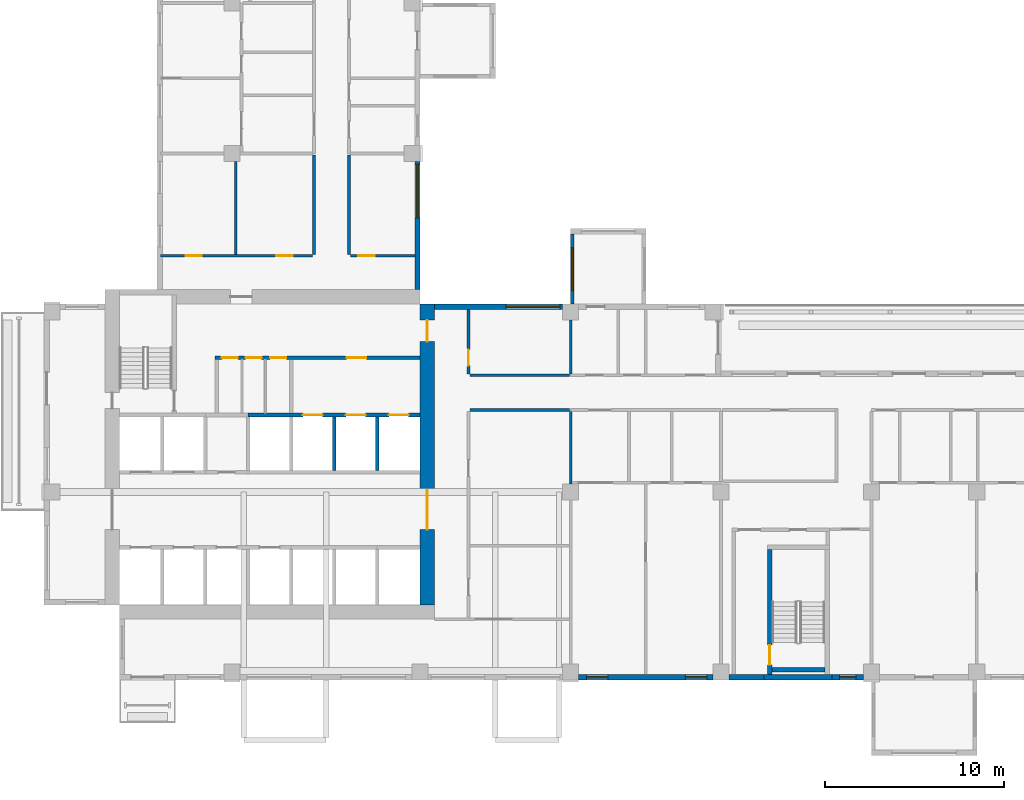
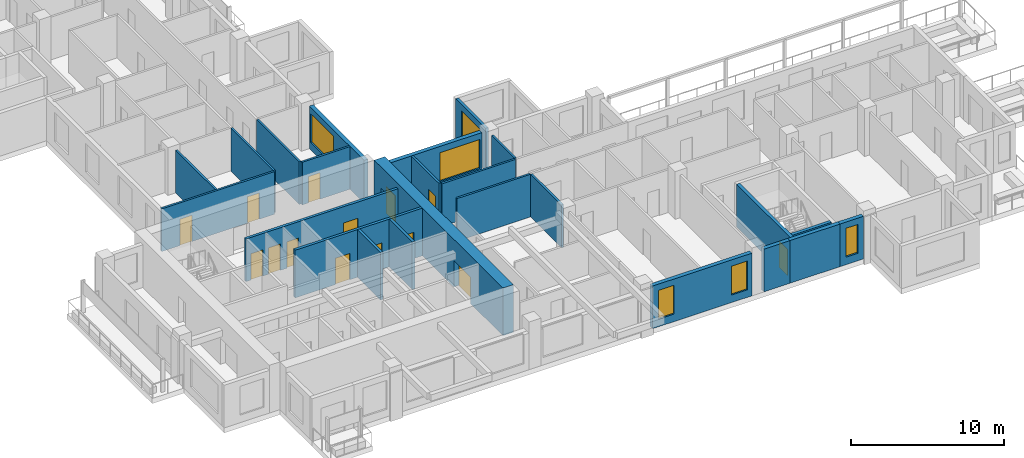
# One storey, part 5 of 15: 24 walls, 14 doors, 6 windows, 20 openings.
"""IFC4 building model written with IfcOpenShell, lengths in metres."""

from ifc_helpers import new_model, si_unit, direction, frame, frame_2d, origin, place, context, subcontext, project, spatial, rectangle, extrude, source, transform, mapped, material, layer, layer_set, type_object, element, fill, save


model = new_model("IFC4")

# Units and contexts
model_context = context("Model", 3, precision=1e-05, world=origin(), true_north=direction((0.0, 1.0)))
body_context = subcontext(model_context, "Body", "Model", "MODEL_VIEW")
ifc_project = project(units=[si_unit("LENGTHUNIT", "METRE"), si_unit("AREAUNIT", "SQUARE_METRE"), si_unit("VOLUMEUNIT", "CUBIC_METRE"), si_unit("PLANEANGLEUNIT", "RADIAN"), si_unit("MASSUNIT", "GRAM", prefix="KILO")], contexts=[model_context])

# Site, building, storey
site_placement = place(None, origin())
site = spatial("IfcSite", under=ifc_project, at=site_placement, CompositionType="ELEMENT")
building_placement = place(site_placement, origin())
building = spatial("IfcBuilding", under=site, at=building_placement, Name="Aurelian Terraces", CompositionType="ELEMENT")
storey_placement = place(building_placement, frame((0.0, 0.0, 177.8)))
storey = spatial("IfcBuildingStorey", under=building, at=storey_placement, Name="L38", CompositionType="ELEMENT", Elevation=177.8)

# Wall, openings, doors
ifc_material_1 = material(Name="Concrete fc' 70 MPa", Category="concrete")
ifc_layer_1 = layer(ifc_material_1, 0.8)
ifc_layer_set_1 = layer_set([ifc_layer_1], Name="CORE WALL 800 FC70")
wall_type_1 = type_object("IfcWallType", Name="CORE WALL 800 FC70", PredefinedType="SHEAR", material=ifc_layer_set_1)
wall_1_placement = place(storey_placement, frame((21.4, 4.2, 0.0), z_axis=(0.0, 0.0, 1.0), x_axis=(0.0, 1.0, 0.0)))
wall_1 = element("IfcWall", 1, at=wall_1_placement, inside=storey, type_object=wall_type_1, Name="Core wall E L38", PredefinedType="SHEAR", context=body_context, shape_type="SweptSolid", body=[
    extrude(rectangle(XDim=16.8, YDim=0.8, at=frame_2d((8.4, 0.0))), origin(), (0.0, 0.0, 1.0), 3.8),
])
opening_1_placement = place(wall_1_placement, frame((4.2, 0.0, 0.0)))
opening_1 = element("IfcOpeningElement", 2, at=opening_1_placement, cuts=wall_1, Name="Opening 64121", PredefinedType="OPENING", context=body_context, shape_type="SweptSolid", body=[
    extrude(rectangle(XDim=2.2, YDim=2.1, at=frame_2d((1.1, 1.05))), frame((0.0, 0.41, 0.0), z_axis=(0.0, -1.0, 0.0), x_axis=(1.0, 0.0, 0.0)), (0.0, 0.0, 1.0), 0.82),
])
shared_shape_1 = source(origin(), body_context, "Body", "SweptSolid", [
    extrude(rectangle(XDim=1.2, YDim=2.1, at=frame_2d((0.6, 1.05))), frame((0.0, 0.41, 0.0), z_axis=(0.0, -1.0, 0.0), x_axis=(1.0, 0.0, 0.0)), (0.0, 0.0, 1.0), 0.82),
])
opening_2_placement = place(wall_1_placement, frame((14.7, 0.0, 0.0)))
opening_2 = element("IfcOpeningElement", 3, at=opening_2_placement, cuts=wall_1, Name="Opening 64124", PredefinedType="OPENING", context=body_context, shape_type="MappedRepresentation", body=[
    mapped(shared_shape_1, transform((0.0, 0.0, 0.0), scale=1.0)),
])
ifc_material_2 = material(Name="Steel door leaf", Category="steel")
door_type_1 = type_object("IfcDoorType", Name="Core fire door 1200x2100", OperationType="SINGLE_SWING_LEFT", PredefinedType="DOOR", material=ifc_material_2)
shared_shape_2 = source(origin(), body_context, "Body", "SweptSolid", [
    extrude(rectangle(XDim=1.2, YDim=2.1, at=frame_2d((0.6, 1.05))), frame((0.0, 0.025, 0.0), z_axis=(0.0, -1.0, 0.0), x_axis=(1.0, 0.0, 0.0)), (0.0, 0.0, 1.0), 0.05),
])
door_1_placement = place(opening_2_placement, origin())
door_1 = element("IfcDoor", 4, at=door_1_placement, inside=storey, type_object=door_type_1, Name="Core door 64124", OperationType="SINGLE_SWING_LEFT", OverallHeight=2.1, OverallWidth=1.2, PredefinedType="DOOR", context=body_context, shape_type="MappedRepresentation", body=[
    mapped(shared_shape_2, transform((0.0, 0.0, 0.0), scale=1.0)),
])
fill(opening_2, door_1)
door_type_2 = type_object("IfcDoorType", Name="Core double door 2200x2100", OperationType="DOUBLE_DOOR_SINGLE_SWING", PredefinedType="DOOR", material=ifc_material_2)
shared_shape_3 = source(origin(), body_context, "Body", "SweptSolid", [
    extrude(rectangle(XDim=2.2, YDim=2.1, at=frame_2d((1.1, 1.05))), frame((0.0, 0.025, 0.0), z_axis=(0.0, -1.0, 0.0), x_axis=(1.0, 0.0, 0.0)), (0.0, 0.0, 1.0), 0.05),
])
door_2_placement = place(opening_1_placement, origin())
door_2 = element("IfcDoor", 5, at=door_2_placement, inside=storey, type_object=door_type_2, Name="Core door 64121", OperationType="DOUBLE_DOOR_SINGLE_SWING", OverallHeight=2.1, OverallWidth=2.2, PredefinedType="DOOR", context=body_context, shape_type="MappedRepresentation", body=[
    mapped(shared_shape_3, transform((0.0, 0.0, 0.0), scale=1.0)),
])
fill(opening_1, door_2)

ifc_material_3 = material(Name="Gypsum board on steel studs", Category="steel")
ifc_layer_2 = layer(ifc_material_3, 0.2)
ifc_layer_set_2 = layer_set([ifc_layer_2], Name="Core partition 200")
wall_type_2 = type_object("IfcWallType", Name="Core partition 200", PredefinedType="PARTITIONING", material=ifc_layer_set_2)
wall_2_placement = place(storey_placement, frame((9.55, 18.0, 0.0), z_axis=(0.0, 0.0, 1.0), x_axis=(1.0, 0.0, 0.0)))
wall_2 = element("IfcWall", 6, at=wall_2_placement, inside=storey, type_object=wall_type_2, Name="L38 core wall CP-NORTH", PredefinedType="PARTITIONING", context=body_context, shape_type="SweptSolid", body=[
    extrude(rectangle(XDim=11.45, YDim=0.2, at=frame_2d((5.725, 0.0))), origin(), (0.0, 0.0, 1.0), 3.4),
])
shared_shape_4 = source(origin(), body_context, "Body", "SweptSolid", [
    extrude(rectangle(XDim=0.9, YDim=2.1, at=frame_2d((0.45, 1.05))), frame((0.0, 0.11, 0.0), z_axis=(0.0, -1.0, 0.0), x_axis=(1.0, 0.0, 0.0)), (0.0, 0.0, 1.0), 0.22),
])
opening_3_placement = place(wall_2_placement, frame((0.375, 0.0, 0.0)))
opening_3 = element("IfcOpeningElement", 7, at=opening_3_placement, cuts=wall_2, Name="Opening 64111", PredefinedType="OPENING", context=body_context, shape_type="MappedRepresentation", body=[
    mapped(shared_shape_4, transform((0.0, 0.0, 0.0), scale=1.0)),
])
opening_4_placement = place(wall_2_placement, frame((1.7, 0.0, 0.0)))
opening_4 = element("IfcOpeningElement", 8, at=opening_4_placement, cuts=wall_2, Name="Opening 64112", PredefinedType="OPENING", context=body_context, shape_type="MappedRepresentation", body=[
    mapped(shared_shape_4, transform((0.0, 0.0, 0.0), scale=1.0)),
])
opening_5_placement = place(wall_2_placement, frame((3.075, 0.0, 0.0)))
opening_5 = element("IfcOpeningElement", 9, at=opening_5_placement, cuts=wall_2, Name="Opening 64113", PredefinedType="OPENING", context=body_context, shape_type="MappedRepresentation", body=[
    mapped(shared_shape_4, transform((0.0, 0.0, 0.0), scale=1.0)),
])
shared_shape_5 = source(origin(), body_context, "Body", "SweptSolid", [
    extrude(rectangle(XDim=1.1, YDim=2.1, at=frame_2d((0.55, 1.05))), frame((0.0, 0.11, 0.0), z_axis=(0.0, -1.0, 0.0), x_axis=(1.0, 0.0, 0.0)), (0.0, 0.0, 1.0), 0.22),
])
opening_6_placement = place(wall_2_placement, frame((7.35, 0.0, 0.0)))
opening_6 = element("IfcOpeningElement", 10, at=opening_6_placement, cuts=wall_2, Name="Opening 64114", PredefinedType="OPENING", context=body_context, shape_type="MappedRepresentation", body=[
    mapped(shared_shape_5, transform((0.0, 0.0, 0.0), scale=1.0)),
])
door_type_3 = type_object("IfcDoorType", Name="Core riser door 900x2100", OperationType="SINGLE_SWING_LEFT", PredefinedType="DOOR", material=ifc_material_2)
shared_shape_6 = source(origin(), body_context, "Body", "SweptSolid", [
    extrude(rectangle(XDim=0.9, YDim=2.1, at=frame_2d((0.45, 1.05))), frame((0.0, 0.025, 0.0), z_axis=(0.0, -1.0, 0.0), x_axis=(1.0, 0.0, 0.0)), (0.0, 0.0, 1.0), 0.05),
])
door_3_placement = place(opening_3_placement, origin())
door_3 = element("IfcDoor", 11, at=door_3_placement, inside=storey, type_object=door_type_3, Name="Room door 64111", OperationType="SINGLE_SWING_LEFT", OverallHeight=2.1, OverallWidth=0.9, PredefinedType="DOOR", context=body_context, shape_type="MappedRepresentation", body=[
    mapped(shared_shape_6, transform((0.0, 0.0, 0.0), scale=1.0)),
])
fill(opening_3, door_3)
door_type_4 = type_object("IfcDoorType", Name="Core service door 900x2100 right", OperationType="SINGLE_SWING_RIGHT", PredefinedType="DOOR", material=ifc_material_2)
door_4_placement = place(opening_4_placement, origin())
door_4 = element("IfcDoor", 12, at=door_4_placement, inside=storey, type_object=door_type_4, Name="Room door 64112", OperationType="SINGLE_SWING_RIGHT", OverallHeight=2.1, OverallWidth=0.9, PredefinedType="DOOR", context=body_context, shape_type="MappedRepresentation", body=[
    mapped(shared_shape_6, transform((0.0, 0.0, 0.0), scale=1.0)),
])
fill(opening_4, door_4)
door_type_5 = type_object("IfcDoorType", Name="Core service door 900x2100", OperationType="SINGLE_SWING_LEFT", PredefinedType="DOOR", material=ifc_material_2)
door_5_placement = place(opening_5_placement, origin())
door_5 = element("IfcDoor", 13, at=door_5_placement, inside=storey, type_object=door_type_5, Name="Room door 64113", OperationType="SINGLE_SWING_LEFT", OverallHeight=2.1, OverallWidth=0.9, PredefinedType="DOOR", context=body_context, shape_type="MappedRepresentation", body=[
    mapped(shared_shape_6, transform((0.0, 0.0, 0.0), scale=1.0)),
])
fill(opening_5, door_5)
door_type_6 = type_object("IfcDoorType", Name="Core fire door 1100x2100 right", OperationType="SINGLE_SWING_RIGHT", PredefinedType="DOOR", material=ifc_material_2)
shared_shape_7 = source(origin(), body_context, "Body", "SweptSolid", [
    extrude(rectangle(XDim=1.1, YDim=2.1, at=frame_2d((0.55, 1.05))), frame((0.0, 0.025, 0.0), z_axis=(0.0, -1.0, 0.0), x_axis=(1.0, 0.0, 0.0)), (0.0, 0.0, 1.0), 0.05),
])
door_6_placement = place(opening_6_placement, origin())
door_6 = element("IfcDoor", 14, at=door_6_placement, inside=storey, type_object=door_type_6, Name="Ff lobby door 64114", OperationType="SINGLE_SWING_RIGHT", OverallHeight=2.1, OverallWidth=1.1, PredefinedType="DOOR", context=body_context, shape_type="MappedRepresentation", body=[
    mapped(shared_shape_7, transform((0.0, 0.0, 0.0), scale=1.0)),
])
fill(opening_6, door_6)

# Wall, openings, windows
ifc_material_4 = material(Name="Terracotta rainscreen cladding", Category="masonry")
ifc_layer_3 = layer(ifc_material_4, 0.3)
ifc_layer_set_3 = layer_set([ifc_layer_3], Name="EW-300")
wall_type_3 = type_object("IfcWallType", Name="EW-300", PredefinedType="STANDARD", material=ifc_layer_set_3)
wall_3_placement = place(storey_placement, frame((29.85, 0.15, 0.0), z_axis=(0.0, 0.0, 1.0), x_axis=(1.0, 0.0, 0.0)))
wall_3 = element("IfcWall", 15, at=wall_3_placement, inside=storey, type_object=wall_type_3, Name="External wall L38 F01.5", PredefinedType="STANDARD", context=body_context, shape_type="SweptSolid", body=[
    extrude(rectangle(XDim=7.5, YDim=0.3, at=frame_2d((3.75, 0.0))), origin(), (0.0, 0.0, 1.0), 3.4),
])
opening_7_placement = place(wall_3_placement, frame((0.4375, 0.0, 0.6)))
opening_7 = element("IfcOpeningElement", 16, at=opening_7_placement, cuts=wall_3, Name="Opening W1223", PredefinedType="OPENING", context=body_context, shape_type="SweptSolid", body=[
    extrude(rectangle(XDim=1.2, YDim=2.3, at=frame_2d((0.6, 1.15))), frame((0.0, 0.16, 0.0), z_axis=(0.0, -1.0, 0.0), x_axis=(1.0, 0.0, 0.0)), (0.0, 0.0, 1.0), 0.32),
])
shared_shape_8 = source(origin(), body_context, "Body", "SweptSolid", [
    extrude(rectangle(XDim=1.2, YDim=2.3, at=frame_2d((0.6, 1.15))), frame((0.0, 0.16, 0.0), z_axis=(0.0, -1.0, 0.0), x_axis=(1.0, 0.0, 0.0)), (0.0, 0.0, 1.0), 0.32),
])
opening_8_placement = place(wall_3_placement, frame((5.9625, 0.0, 0.6)))
opening_8 = element("IfcOpeningElement", 17, at=opening_8_placement, cuts=wall_3, Name="Opening W1223", PredefinedType="OPENING", context=body_context, shape_type="MappedRepresentation", body=[
    mapped(shared_shape_8, transform((0.0, 0.0, 0.0), scale=1.0)),
])
ifc_material_5 = material(Name="Clear glazing", Category="glass")
window_type_1 = type_object("IfcWindowType", Name="W-1200x2300", PartitioningType="SINGLE_PANEL", PredefinedType="WINDOW", material=ifc_material_5)
window_1_placement = place(opening_7_placement, origin())
window_1 = element("IfcWindow", 18, at=window_1_placement, inside=storey, type_object=window_type_1, Name="Window L38 L38-F01-05-0", OverallHeight=2.3, OverallWidth=1.2, PartitioningType="SINGLE_PANEL", PredefinedType="WINDOW", context=body_context, shape_type="SweptSolid", body=[
    extrude(rectangle(XDim=1.2, YDim=2.3, at=frame_2d((0.6, 1.15))), frame((0.0, 0.03, 0.0), z_axis=(0.0, -1.0, 0.0), x_axis=(1.0, 0.0, 0.0)), (0.0, 0.0, 1.0), 0.06),
])
fill(opening_7, window_1)
shared_shape_9 = source(origin(), body_context, "Body", "SweptSolid", [
    extrude(rectangle(XDim=1.2, YDim=2.3, at=frame_2d((0.6, 1.15))), frame((0.0, 0.03, 0.0), z_axis=(0.0, -1.0, 0.0), x_axis=(1.0, 0.0, 0.0)), (0.0, 0.0, 1.0), 0.06),
])
window_2_placement = place(opening_8_placement, origin())
window_2 = element("IfcWindow", 19, at=window_2_placement, inside=storey, type_object=window_type_1, Name="Window L38 L38-F01-05-1", OverallHeight=2.3, OverallWidth=1.2, PartitioningType="SINGLE_PANEL", PredefinedType="WINDOW", context=body_context, shape_type="MappedRepresentation", body=[
    mapped(shared_shape_9, transform((0.0, 0.0, 0.0), scale=1.0)),
])
fill(opening_8, window_2)

# Wall
wall_4_placement = place(storey_placement, frame((38.25, 0.15, 0.0), z_axis=(0.0, 0.0, 1.0), x_axis=(1.0, 0.0, 0.0)))
element("IfcWall", 20, at=wall_4_placement, inside=storey, type_object=wall_type_3, Name="External wall L38 F01.6", PredefinedType="STANDARD", context=body_context, shape_type="SweptSolid", body=[
    extrude(rectangle(XDim=1.95, YDim=0.3, at=frame_2d((0.975, 0.0))), origin(), (0.0, 0.0, 1.0), 3.4),
])

# Wall, opening, window
wall_5_placement = place(storey_placement, frame((44.0, 0.15, 0.0), z_axis=(0.0, 0.0, 1.0), x_axis=(1.0, 0.0, 0.0)))
wall_5 = element("IfcWall", 21, at=wall_5_placement, inside=storey, type_object=wall_type_3, Name="External wall L38 F01.6", PredefinedType="STANDARD", context=body_context, shape_type="SweptSolid", body=[
    extrude(rectangle(XDim=1.75, YDim=0.3, at=frame_2d((0.875, 0.0))), origin(), (0.0, 0.0, 1.0), 3.4),
])
opening_9_placement = place(wall_5_placement, frame((0.425, 0.0, 0.6)))
opening_9 = element("IfcOpeningElement", 22, at=opening_9_placement, cuts=wall_5, Name="Opening W0923", PredefinedType="OPENING", context=body_context, shape_type="SweptSolid", body=[
    extrude(rectangle(XDim=0.9, YDim=2.3, at=frame_2d((0.45, 1.15))), frame((0.0, 0.16, 0.0), z_axis=(0.0, -1.0, 0.0), x_axis=(1.0, 0.0, 0.0)), (0.0, 0.0, 1.0), 0.32),
])
window_type_2 = type_object("IfcWindowType", Name="W-900x2300", PartitioningType="SINGLE_PANEL", PredefinedType="WINDOW", material=ifc_material_5)
window_3_placement = place(opening_9_placement, origin())
window_3 = element("IfcWindow", 23, at=window_3_placement, inside=storey, type_object=window_type_2, Name="Window L38 L38-F01-06-P2", OverallHeight=2.3, OverallWidth=0.9, PartitioningType="SINGLE_PANEL", PredefinedType="WINDOW", context=body_context, shape_type="SweptSolid", body=[
    extrude(rectangle(XDim=0.9, YDim=2.3, at=frame_2d((0.45, 1.15))), frame((0.0, 0.03, 0.0), z_axis=(0.0, -1.0, 0.0), x_axis=(1.0, 0.0, 0.0)), (0.0, 0.0, 1.0), 0.06),
])
fill(opening_9, window_3)

wall_6_placement = place(storey_placement, frame((28.95, 20.85, 0.0), z_axis=(0.0, 0.0, 1.0), x_axis=(-1.0, 0.0, 0.0)))
wall_6 = element("IfcWall", 24, at=wall_6_placement, inside=storey, type_object=wall_type_3, Name="External wall L38 F07.17", PredefinedType="STANDARD", context=body_context, shape_type="SweptSolid", body=[
    extrude(rectangle(XDim=7.15, YDim=0.3, at=frame_2d((3.575, 0.0))), origin(), (0.0, 0.0, 1.0), 3.4),
])
shared_shape_10 = source(origin(), body_context, "Body", "SweptSolid", [
    extrude(rectangle(XDim=3.0, YDim=2.3, at=frame_2d((1.5, 1.15))), frame((0.0, 0.16, 0.0), z_axis=(0.0, -1.0, 0.0), x_axis=(1.0, 0.0, 0.0)), (0.0, 0.0, 1.0), 0.32),
])
opening_10_placement = place(wall_6_placement, frame((0.15, 0.0, 0.6)))
opening_10 = element("IfcOpeningElement", 25, at=opening_10_placement, cuts=wall_6, Name="Opening W3023", PredefinedType="OPENING", context=body_context, shape_type="MappedRepresentation", body=[
    mapped(shared_shape_10, transform((0.0, 0.0, 0.0), scale=1.0)),
])
window_type_3 = type_object("IfcWindowType", Name="W-3000x2300", PartitioningType="SINGLE_PANEL", PredefinedType="WINDOW", material=ifc_material_5)
shared_shape_11 = source(origin(), body_context, "Body", "SweptSolid", [
    extrude(rectangle(XDim=3.0, YDim=2.3, at=frame_2d((1.5, 1.15))), frame((0.0, 0.03, 0.0), z_axis=(0.0, -1.0, 0.0), x_axis=(1.0, 0.0, 0.0)), (0.0, 0.0, 1.0), 0.06),
])
window_4_placement = place(opening_10_placement, origin())
window_4 = element("IfcWindow", 26, at=window_4_placement, inside=storey, type_object=window_type_3, Name="Window L38 L38-F07-17-0", OverallHeight=2.3, OverallWidth=3.0, PartitioningType="SINGLE_PANEL", PredefinedType="WINDOW", context=body_context, shape_type="MappedRepresentation", body=[
    mapped(shared_shape_11, transform((0.0, 0.0, 0.0), scale=1.0)),
])
fill(opening_10, window_4)

# Wall
ifc_layer_4 = layer(ifc_material_3, 0.15)
ifc_layer_set_4 = layer_set([ifc_layer_4], Name="Fire partition 150")
wall_type_4 = type_object("IfcWallType", Name="Fire partition 150", PredefinedType="PARTITIONING", material=ifc_layer_set_4)
wall_7_placement = place(storey_placement, frame((29.325, 15.075, 0.0), z_axis=(0.0, 0.0, 1.0), x_axis=(-1.0, 0.0, 0.0)))
element("IfcWall", 27, at=wall_7_placement, inside=storey, type_object=wall_type_4, Name="Corridor wall", PredefinedType="PARTITIONING", context=body_context, shape_type="SweptSolid", body=[
    extrude(rectangle(XDim=5.55, YDim=0.15, at=frame_2d((2.775, 0.0))), origin(), (0.0, 0.0, 1.0), 3.4),
])

# Wall, opening, door
ifc_layer_5 = layer(ifc_material_3, 0.15)
ifc_layer_set_5 = layer_set([ifc_layer_5], Name="Partition 150")
wall_type_5 = type_object("IfcWallType", Name="Partition 150", PredefinedType="PARTITIONING", material=ifc_layer_set_5)
wall_8_placement = place(storey_placement, frame((23.7, 20.7, 0.0), z_axis=(0.0, 0.0, 1.0), x_axis=(0.0, -1.0, 0.0)))
wall_8 = element("IfcWall", 28, at=wall_8_placement, inside=storey, type_object=wall_type_5, Name="Partition", PredefinedType="PARTITIONING", context=body_context, shape_type="SweptSolid", body=[
    extrude(rectangle(XDim=3.6, YDim=0.15, at=frame_2d((1.8, 0.0))), origin(), (0.0, 0.0, 1.0), 3.4),
])
shared_shape_12 = source(origin(), body_context, "Body", "SweptSolid", [
    extrude(rectangle(XDim=0.9, YDim=2.1, at=frame_2d((0.45, 1.05))), frame((0.0, 0.085, 0.0), z_axis=(0.0, -1.0, 0.0), x_axis=(1.0, 0.0, 0.0)), (0.0, 0.0, 1.0), 0.17),
])
opening_11_placement = place(wall_8_placement, frame((2.25, 0.0, 0.0)))
opening_11 = element("IfcOpeningElement", 29, at=opening_11_placement, cuts=wall_8, Name="Opening 738003", PredefinedType="OPENING", context=body_context, shape_type="MappedRepresentation", body=[
    mapped(shared_shape_12, transform((0.0, 0.0, 0.0), scale=1.0)),
])
ifc_material_6 = material(Name="Timber door leaf", Category="wood")
door_type_7 = type_object("IfcDoorType", Name="Room door 900x2100 left", OperationType="SINGLE_SWING_LEFT", PredefinedType="DOOR", material=ifc_material_6)
door_7_placement = place(opening_11_placement, origin())
door_7 = element("IfcDoor", 30, at=door_7_placement, inside=storey, type_object=door_type_7, Name="Door 738003", OperationType="SINGLE_SWING_LEFT", OverallHeight=2.1, OverallWidth=0.9, PredefinedType="DOOR", context=body_context, shape_type="MappedRepresentation", body=[
    mapped(shared_shape_6, transform((0.0, 0.0, 0.0), scale=1.0)),
])
fill(opening_11, door_7)

# Walls
wall_9_placement = place(storey_placement, frame((29.4, 10.949, 0.0), z_axis=(0.0, 0.0, 1.0), x_axis=(0.0, 1.0, 0.0)))
element("IfcWall", 31, at=wall_9_placement, inside=storey, type_object=wall_type_5, Name="Partition", PredefinedType="PARTITIONING", context=body_context, shape_type="SweptSolid", body=[
    extrude(rectangle(XDim=4.051, YDim=0.15, at=frame_2d((2.0255, 0.0))), origin(), (0.0, 0.0, 1.0), 3.4),
])
wall_10_placement = place(storey_placement, frame((29.4, 17.1, 0.0), z_axis=(0.0, 0.0, 1.0), x_axis=(0.0, 1.0, 0.0)))
element("IfcWall", 32, at=wall_10_placement, inside=storey, type_object=wall_type_5, Name="Partition", PredefinedType="PARTITIONING", context=body_context, shape_type="SweptSolid", body=[
    extrude(rectangle(XDim=3.001, YDim=0.15, at=frame_2d((1.5005, 0.0))), origin(), (0.0, 0.0, 1.0), 3.4),
])

# Wall, openings, doors
wall_11_placement = place(storey_placement, frame((6.505, 23.7, 0.0), z_axis=(0.0, 0.0, 1.0), x_axis=(1.0, 0.0, 0.0)))
wall_11 = element("IfcWall", 33, at=wall_11_placement, inside=storey, type_object=wall_type_5, Name="Partition", PredefinedType="PARTITIONING", context=body_context, shape_type="SweptSolid", body=[
    extrude(rectangle(XDim=8.495, YDim=0.15, at=frame_2d((4.2475, 0.0))), origin(), (0.0, 0.0, 1.0), 3.4),
])
opening_12_placement = place(wall_11_placement, frame((1.395, 0.0, 0.0)))
opening_12 = element("IfcOpeningElement", 34, at=opening_12_placement, cuts=wall_11, Name="Opening 738022", PredefinedType="OPENING", context=body_context, shape_type="MappedRepresentation", body=[
    mapped(shared_shape_12, transform((0.0, 0.0, 0.0), scale=1.0)),
])
opening_13_placement = place(wall_11_placement, frame((6.47, 0.0, 0.0)))
opening_13 = element("IfcOpeningElement", 35, at=opening_13_placement, cuts=wall_11, Name="Opening 738023", PredefinedType="OPENING", context=body_context, shape_type="MappedRepresentation", body=[
    mapped(shared_shape_12, transform((0.0, 0.0, 0.0), scale=1.0)),
])
door_8_placement = place(opening_12_placement, origin())
door_8 = element("IfcDoor", 36, at=door_8_placement, inside=storey, type_object=door_type_7, Name="Door 738022", OperationType="SINGLE_SWING_LEFT", OverallHeight=2.1, OverallWidth=0.9, PredefinedType="DOOR", context=body_context, shape_type="MappedRepresentation", body=[
    mapped(shared_shape_6, transform((0.0, 0.0, 0.0), scale=1.0)),
])
fill(opening_12, door_8)
door_type_8 = type_object("IfcDoorType", Name="Room door 900x2100 right", OperationType="SINGLE_SWING_RIGHT", PredefinedType="DOOR", material=ifc_material_6)
door_9_placement = place(opening_13_placement, origin())
door_9 = element("IfcDoor", 37, at=door_9_placement, inside=storey, type_object=door_type_8, Name="Door 738023", OperationType="SINGLE_SWING_RIGHT", OverallHeight=2.1, OverallWidth=0.9, PredefinedType="DOOR", context=body_context, shape_type="MappedRepresentation", body=[
    mapped(shared_shape_6, transform((0.0, 0.0, 0.0), scale=1.0)),
])
fill(opening_13, door_9)

# Walls
wall_12_placement = place(storey_placement, frame((10.7, 23.775, 0.0), z_axis=(0.0, 0.0, 1.0), x_axis=(0.0, 1.0, 0.0)))
element("IfcWall", 38, at=wall_12_placement, inside=storey, type_object=wall_type_5, Name="Partition", PredefinedType="PARTITIONING", context=body_context, shape_type="SweptSolid", body=[
    extrude(rectangle(XDim=5.176, YDim=0.15, at=frame_2d((2.588, 0.0))), origin(), (0.0, 0.0, 1.0), 3.4),
])
ifc_material_7 = material(Name="Concrete fc' 40 MPa", Category="concrete")
ifc_layer_6 = layer(ifc_material_7, 0.3)
ifc_layer_set_6 = layer_set([ifc_layer_6], Name="STAIR BAY WALL 300")
wall_type_6 = type_object("IfcWallType", Name="STAIR BAY WALL 300", PredefinedType="SOLIDWALL", material=ifc_layer_set_6)
wall_13_placement = place(storey_placement, frame((40.2, 0.15, 0.0), z_axis=(0.0, 0.0, 1.0), x_axis=(1.0, 0.0, 0.0)))
element("IfcWall", 39, at=wall_13_placement, inside=storey, type_object=wall_type_6, Name="Stair bay wall L38 F01.6", PredefinedType="SOLIDWALL", context=body_context, shape_type="SweptSolid", body=[
    extrude(rectangle(XDim=3.8, YDim=0.3, at=frame_2d((1.9, 0.0))), origin(), (0.0, 0.0, 1.0), 3.4),
])

# Wall, opening, door
ifc_layer_7 = layer(ifc_material_7, 0.25)
ifc_layer_set_7 = layer_set([ifc_layer_7], Name="Stair enclosure wall 250")
wall_type_7 = type_object("IfcWallType", Name="Stair enclosure wall 250", PredefinedType="SOLIDWALL", material=ifc_layer_set_7)
wall_14_placement = place(storey_placement, frame((40.525, 0.3, 0.0), z_axis=(0.0, 0.0, 1.0), x_axis=(0.0, 1.0, 0.0)))
wall_14 = element("IfcWall", 40, at=wall_14_placement, inside=storey, type_object=wall_type_7, Name="L38 core wall ST-S2-W", PredefinedType="SOLIDWALL", context=body_context, shape_type="SweptSolid", body=[
    extrude(rectangle(XDim=7.0, YDim=0.25, at=frame_2d((3.5, 0.0))), origin(), (0.0, 0.0, 1.0), 3.4),
])
shared_shape_13 = source(origin(), body_context, "Body", "SweptSolid", [
    extrude(rectangle(XDim=1.1, YDim=2.1, at=frame_2d((0.55, 1.05))), frame((0.0, 0.135, 0.0), z_axis=(0.0, -1.0, 0.0), x_axis=(1.0, 0.0, 0.0)), (0.0, 0.0, 1.0), 0.27),
])
opening_14_placement = place(wall_14_placement, frame((0.55, 0.0, 0.0)))
opening_14 = element("IfcOpeningElement", 41, at=opening_14_placement, cuts=wall_14, Name="Opening 64115", PredefinedType="OPENING", context=body_context, shape_type="MappedRepresentation", body=[
    mapped(shared_shape_13, transform((0.0, 0.0, 0.0), scale=1.0)),
])
door_type_9 = type_object("IfcDoorType", Name="Core fire door 1100x2100", OperationType="SINGLE_SWING_LEFT", PredefinedType="DOOR", material=ifc_material_2)
door_10_placement = place(opening_14_placement, origin())
door_10 = element("IfcDoor", 42, at=door_10_placement, inside=storey, type_object=door_type_9, Name="Stair door 64115", OperationType="SINGLE_SWING_LEFT", OverallHeight=2.1, OverallWidth=1.1, PredefinedType="DOOR", context=body_context, shape_type="MappedRepresentation", body=[
    mapped(shared_shape_7, transform((0.0, 0.0, 0.0), scale=1.0)),
])
fill(opening_14, door_10)

# Wall
wall_15_placement = place(storey_placement, frame((40.65, 0.575, 0.0), z_axis=(0.0, 0.0, 1.0), x_axis=(1.0, 0.0, 0.0)))
element("IfcWall", 43, at=wall_15_placement, inside=storey, type_object=wall_type_7, Name="L38 core wall ST-S2-SS", PredefinedType="SOLIDWALL", context=body_context, shape_type="SweptSolid", body=[
    extrude(rectangle(XDim=2.95, YDim=0.25, at=frame_2d((1.475, 0.0))), origin(), (0.0, 0.0, 1.0), 3.4),
])

# Wall, opening, window
shared_shape_14 = source(origin(), body_context, "Body", "SweptSolid", [
    extrude(rectangle(XDim=7.15, YDim=0.3, at=frame_2d((3.575, 0.0))), origin(), (0.0, 0.0, 1.0), 3.4),
])
wall_16_placement = place(storey_placement, frame((20.85, 21.8, 0.0), z_axis=(0.0, 0.0, 1.0), x_axis=(0.0, 1.0, 0.0)))
wall_16 = element("IfcWall", 44, at=wall_16_placement, inside=storey, type_object=wall_type_3, Name="External wall L38 F08.18", PredefinedType="STANDARD", context=body_context, shape_type="MappedRepresentation", body=[
    mapped(shared_shape_14, transform((0.0, 0.0, 0.0), scale=1.0)),
])
opening_15_placement = place(wall_16_placement, frame((4.0, 0.0, 0.6)))
opening_15 = element("IfcOpeningElement", 45, at=opening_15_placement, cuts=wall_16, Name="Opening W3023", PredefinedType="OPENING", context=body_context, shape_type="MappedRepresentation", body=[
    mapped(shared_shape_10, transform((0.0, 0.0, 0.0), scale=1.0)),
])
window_5_placement = place(opening_15_placement, origin())
window_5 = element("IfcWindow", 46, at=window_5_placement, inside=storey, type_object=window_type_3, Name="Window L38 L38-F08-18-1", OverallHeight=2.3, OverallWidth=3.0, PartitioningType="SINGLE_PANEL", PredefinedType="WINDOW", context=body_context, shape_type="MappedRepresentation", body=[
    mapped(shared_shape_11, transform((0.0, 0.0, 0.0), scale=1.0)),
])
fill(opening_15, window_5)

ifc_layer_8 = layer(ifc_material_7, 0.2)
ifc_layer_set_8 = layer_set([ifc_layer_8], Name="BOX BEARING WALL 200")
wall_type_8 = type_object("IfcWallType", Name="BOX BEARING WALL 200", PredefinedType="SOLIDWALL", material=ifc_layer_set_8)
shared_shape_15 = source(origin(), body_context, "Body", "SweptSolid", [
    extrude(rectangle(XDim=3.9, YDim=0.2, at=frame_2d((1.95, 0.0))), origin(), (0.0, 0.0, 1.0), 3.39),
])
wall_17_placement = place(storey_placement, frame((29.5, 21.0, 0.0), z_axis=(0.0, 0.0, 1.0), x_axis=(0.0, 1.0, 0.0)))
wall_17 = element("IfcWall", 47, at=wall_17_placement, inside=storey, type_object=wall_type_8, Name="Box return L38 J52.2", PredefinedType="SOLIDWALL", context=body_context, shape_type="MappedRepresentation", body=[
    mapped(shared_shape_15, transform((0.0, 0.0, 0.0), scale=1.0)),
])
shared_shape_16 = source(origin(), body_context, "Body", "SweptSolid", [
    extrude(rectangle(XDim=2.4, YDim=2.3, at=frame_2d((1.2, 1.15))), frame((0.0, 0.11, 0.0), z_axis=(0.0, -1.0, 0.0), x_axis=(1.0, 0.0, 0.0)), (0.0, 0.0, 1.0), 0.22),
])
opening_16_placement = place(wall_17_placement, frame((0.75, 0.0, 0.6)))
opening_16 = element("IfcOpeningElement", 48, at=opening_16_placement, cuts=wall_17, Name="Opening W2423", PredefinedType="OPENING", context=body_context, shape_type="MappedRepresentation", body=[
    mapped(shared_shape_16, transform((0.0, 0.0, 0.0), scale=1.0)),
])
window_type_4 = type_object("IfcWindowType", Name="W-2400x2300", PartitioningType="SINGLE_PANEL", PredefinedType="WINDOW", material=ifc_material_5)
shared_shape_17 = source(origin(), body_context, "Body", "SweptSolid", [
    extrude(rectangle(XDim=2.4, YDim=2.3, at=frame_2d((1.2, 1.15))), frame((0.0, 0.03, 0.0), z_axis=(0.0, -1.0, 0.0), x_axis=(1.0, 0.0, 0.0)), (0.0, 0.0, 1.0), 0.06),
])
window_6_placement = place(opening_16_placement, origin())
window_6 = element("IfcWindow", 49, at=window_6_placement, inside=storey, type_object=window_type_4, Name="Window L38 J52-S2", OverallHeight=2.3, OverallWidth=2.4, PartitioningType="SINGLE_PANEL", PredefinedType="WINDOW", context=body_context, shape_type="MappedRepresentation", body=[
    mapped(shared_shape_17, transform((0.0, 0.0, 0.0), scale=1.0)),
])
fill(opening_16, window_6)

# Walls
ifc_layer_9 = layer(ifc_material_7, 0.2)
ifc_layer_set_9 = layer_set([ifc_layer_9], Name="Lift shaft wall 200")
wall_type_9 = type_object("IfcWallType", Name="Lift shaft wall 200", PredefinedType="SOLIDWALL", material=ifc_layer_set_9)
shared_shape_18 = source(origin(), body_context, "Body", "SweptSolid", [
    extrude(rectangle(XDim=3.0, YDim=0.2, at=frame_2d((1.5, 0.0))), origin(), (0.0, 0.0, 1.0), 3.8),
])
for number, where, z_axis, x_axis, name in (
    (50, (16.2, 11.7, 0.0), (0.0, 0.0, 1.0), (0.0, 1.0, 0.0), "L38 core wall CD-B5"),
    (51, (18.6, 11.7, 0.0), (0.0, 0.0, 1.0), (0.0, 1.0, 0.0), "L38 core wall CD-B6"),
):
    element("IfcWall", number, at=place(storey_placement, frame(where, z_axis=z_axis, x_axis=x_axis)), inside=storey, type_object=wall_type_9, Name=name, PredefinedType="SOLIDWALL", context=body_context, shape_type="MappedRepresentation", body=[
        mapped(shared_shape_18, transform((0.0, 0.0, 0.0), scale=1.0)),
    ])

# Wall, openings, doors
shared_shape_19 = source(origin(), body_context, "Body", "SweptSolid", [
    extrude(rectangle(XDim=9.6, YDim=0.2, at=frame_2d((4.8, 0.0))), origin(), (0.0, 0.0, 1.0), 3.8),
])
wall_18_placement = place(storey_placement, frame((11.4, 14.8, 0.0), z_axis=(0.0, 0.0, 1.0), x_axis=(1.0, 0.0, 0.0)))
wall_18 = element("IfcWall", 52, at=wall_18_placement, inside=storey, type_object=wall_type_9, Name="L38 core wall CF-BB3", PredefinedType="SOLIDWALL", context=body_context, shape_type="MappedRepresentation", body=[
    mapped(shared_shape_19, transform((0.0, 0.0, 0.0), scale=1.0)),
])
opening_17_placement = place(wall_18_placement, frame((3.05, 0.0, 0.0)))
opening_17 = element("IfcOpeningElement", 53, at=opening_17_placement, cuts=wall_18, Name="Opening 64107", PredefinedType="OPENING", context=body_context, shape_type="MappedRepresentation", body=[
    mapped(shared_shape_5, transform((0.0, 0.0, 0.0), scale=1.0)),
])
opening_18_placement = place(wall_18_placement, frame((5.45, 0.0, 0.0)))
opening_18 = element("IfcOpeningElement", 54, at=opening_18_placement, cuts=wall_18, Name="Opening 64108", PredefinedType="OPENING", context=body_context, shape_type="MappedRepresentation", body=[
    mapped(shared_shape_5, transform((0.0, 0.0, 0.0), scale=1.0)),
])
opening_19_placement = place(wall_18_placement, frame((7.85, 0.0, 0.0)))
opening_19 = element("IfcOpeningElement", 55, at=opening_19_placement, cuts=wall_18, Name="Opening 64109", PredefinedType="OPENING", context=body_context, shape_type="MappedRepresentation", body=[
    mapped(shared_shape_5, transform((0.0, 0.0, 0.0), scale=1.0)),
])
ifc_material_8 = material(Name="Stainless steel", Category="steel")
door_type_10 = type_object("IfcDoorType", Name="Lift landing door 1100x2100", OperationType="SLIDING_TO_LEFT", PredefinedType="DOOR", material=ifc_material_8)
door_11_placement = place(opening_17_placement, origin())
door_11 = element("IfcDoor", 56, at=door_11_placement, inside=storey, type_object=door_type_10, Name="Lift landing door F1 L38", OperationType="SLIDING_TO_LEFT", OverallHeight=2.1, OverallWidth=1.1, PredefinedType="DOOR", context=body_context, shape_type="MappedRepresentation", body=[
    mapped(shared_shape_7, transform((0.0, 0.0, 0.0), scale=1.0)),
])
fill(opening_17, door_11)
door_12_placement = place(opening_18_placement, origin())
door_12 = element("IfcDoor", 57, at=door_12_placement, inside=storey, type_object=door_type_10, Name="Lift landing door F2 L38", OperationType="SLIDING_TO_LEFT", OverallHeight=2.1, OverallWidth=1.1, PredefinedType="DOOR", context=body_context, shape_type="MappedRepresentation", body=[
    mapped(shared_shape_7, transform((0.0, 0.0, 0.0), scale=1.0)),
])
fill(opening_18, door_12)
door_13_placement = place(opening_19_placement, origin())
door_13 = element("IfcDoor", 58, at=door_13_placement, inside=storey, type_object=door_type_10, Name="Lift landing door F3 L38", OperationType="SLIDING_TO_LEFT", OverallHeight=2.1, OverallWidth=1.1, PredefinedType="DOOR", context=body_context, shape_type="MappedRepresentation", body=[
    mapped(shared_shape_7, transform((0.0, 0.0, 0.0), scale=1.0)),
])
fill(opening_19, door_13)

# Walls
shared_shape_20 = source(origin(), body_context, "Body", "SweptSolid", [
    extrude(rectangle(XDim=5.55, YDim=0.15, at=frame_2d((2.775, 0.0))), origin(), (0.0, 0.0, 1.0), 3.4),
])
for number, where, z_axis, x_axis, name in (
    (59, (23.775, 17.025, 0.0), (0.0, 0.0, 1.0), (1.0, 0.0, 0.0), "Corridor wall"),
    (60, (15.075, 23.775, 0.0), (0.0, 0.0, 1.0), (0.0, 1.0, 0.0), "Corridor wall"),
    (61, (17.025, 29.325, 0.0), (0.0, 0.0, 1.0), (0.0, -1.0, 0.0), "Corridor wall"),
):
    element("IfcWall", number, at=place(storey_placement, frame(where, z_axis=z_axis, x_axis=x_axis)), inside=storey, type_object=wall_type_4, Name=name, PredefinedType="PARTITIONING", context=body_context, shape_type="MappedRepresentation", body=[
        mapped(shared_shape_20, transform((0.0, 0.0, 0.0), scale=1.0)),
    ])

# Wall, opening, door
shared_shape_21 = source(origin(), body_context, "Body", "SweptSolid", [
    extrude(rectangle(XDim=3.6, YDim=0.15, at=frame_2d((1.8, 0.0))), origin(), (0.0, 0.0, 1.0), 3.4),
])
wall_19_placement = place(storey_placement, frame((17.1, 23.7, 0.0), z_axis=(0.0, 0.0, 1.0), x_axis=(1.0, 0.0, 0.0)))
wall_19 = element("IfcWall", 62, at=wall_19_placement, inside=storey, type_object=wall_type_5, Name="Partition", PredefinedType="PARTITIONING", context=body_context, shape_type="MappedRepresentation", body=[
    mapped(shared_shape_21, transform((0.0, 0.0, 0.0), scale=1.0)),
])
opening_20_placement = place(wall_19_placement, frame((0.45, 0.0, 0.0)))
opening_20 = element("IfcOpeningElement", 63, at=opening_20_placement, cuts=wall_19, Name="Opening 738024", PredefinedType="OPENING", context=body_context, shape_type="MappedRepresentation", body=[
    mapped(shared_shape_12, transform((0.0, 0.0, 0.0), scale=1.0)),
])
door_14_placement = place(opening_20_placement, origin())
door_14 = element("IfcDoor", 64, at=door_14_placement, inside=storey, type_object=door_type_7, Name="Door 738024", OperationType="SINGLE_SWING_LEFT", OverallHeight=2.1, OverallWidth=0.9, PredefinedType="DOOR", context=body_context, shape_type="MappedRepresentation", body=[
    mapped(shared_shape_6, transform((0.0, 0.0, 0.0), scale=1.0)),
])
fill(opening_20, door_14)

save(model, "model.ifc")
